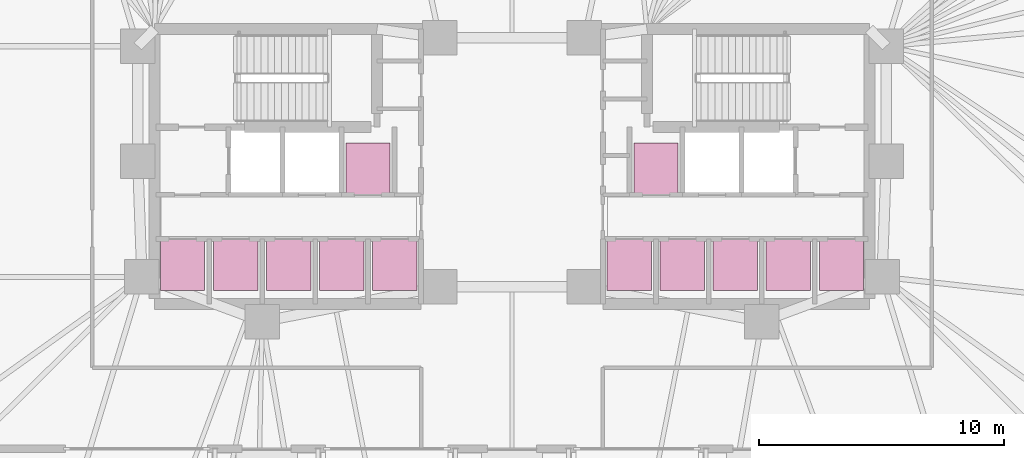
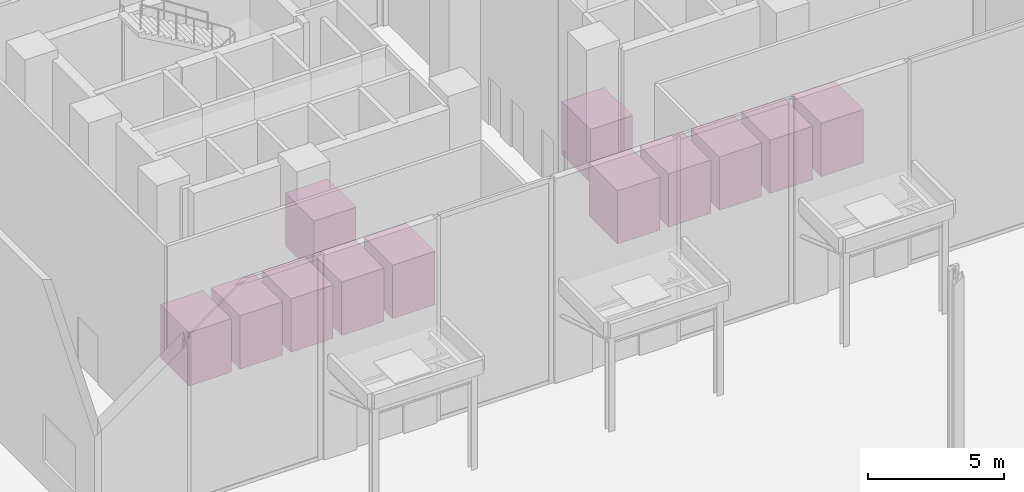
# One storey, part 24 of 24: 12 transport elements.
"""IFC4 building model written with IfcOpenShell, lengths in metres."""

from ifc_helpers import new_model, si_unit, direction, frame, origin, origin_2d, place, context, subcontext, project, spatial, rectangle, extrude, material, type_object, element, save


model = new_model("IFC4")

# Units and contexts
model_context = context("Model", 3, precision=1e-05, world=origin(), true_north=direction((0.0, 1.0)))
body_context = subcontext(model_context, "Body", "Model", "MODEL_VIEW")
ifc_project = project(units=[si_unit("LENGTHUNIT", "METRE"), si_unit("AREAUNIT", "SQUARE_METRE"), si_unit("VOLUMEUNIT", "CUBIC_METRE"), si_unit("PLANEANGLEUNIT", "RADIAN"), si_unit("MASSUNIT", "GRAM", prefix="KILO")], contexts=[model_context])

# Site, building, storey
site_placement = place(None, origin())
site = spatial("IfcSite", under=ifc_project, at=site_placement, CompositionType="ELEMENT")
building_placement = place(site_placement, origin())
building = spatial("IfcBuilding", under=site, at=building_placement, Name="Menara Jurai Vektor", CompositionType="ELEMENT")
storey_placement = place(building_placement, origin())
storey = spatial("IfcBuildingStorey", under=building, at=storey_placement, Name="L00", CompositionType="ELEMENT", Elevation=0.0)

# Transport elements
ifc_material = material(Name="Stainless Steel Lift Car", Category="steel")
transport_element_type = type_object("IfcTransportElementType", Name="LIFT-PASS-1800x2100", PredefinedType="ELEVATOR", material=ifc_material)
for number, where, z_axis, x_axis, name in (
    (1, (-13.419921875, -4.0, 0.0), (0.0, 0.0, 1.0), (1.0, 0.0, 0.0), "Elevator PL1"),
    (2, (-11.260009765625, -4.0, 0.0), (0.0, 0.0, 1.0), (1.0, 0.0, 0.0), "Elevator PL2"),
    (3, (11.260009765625, -4.0, 0.0), (0.0, 0.0, 1.0), (1.0, 0.0, 0.0), "Elevator PL3"),
    (4, (13.419921875, -4.0, 0.0), (0.0, 0.0, 1.0), (1.0, 0.0, 0.0), "Elevator PL4"),
    (5, (-9.10009765625, -4.0, 0.0), (0.0, 0.0, 1.0), (1.0, 0.0, 0.0), "Elevator PM1"),
    (6, (-6.93994140625, -4.0, 0.0), (0.0, 0.0, 1.0), (1.0, 0.0, 0.0), "Elevator PM2"),
    (7, (6.93994140625, -4.0, 0.0), (0.0, 0.0, 1.0), (1.0, 0.0, 0.0), "Elevator PM3"),
    (8, (9.10009765625, -4.0, 0.0), (0.0, 0.0, 1.0), (1.0, 0.0, 0.0), "Elevator PM4"),
    (9, (-4.780029296875, -4.0, 0.0), (0.0, 0.0, 1.0), (1.0, 0.0, 0.0), "Elevator PH1"),
    (10, (-5.8701171875, -0.10009765625, 0.0), (0.0, 0.0, 1.0), (1.0, 0.0, 0.0), "Elevator PH2"),
    (11, (4.780029296875, -4.0, 0.0), (0.0, 0.0, 1.0), (1.0, 0.0, 0.0), "Elevator PH3"),
    (12, (5.8701171875, -0.10009765625, 0.0), (0.0, 0.0, 1.0), (1.0, 0.0, 0.0), "Elevator PH4"),
):
    element("IfcTransportElement", number, at=place(storey_placement, frame(where, z_axis=z_axis, x_axis=x_axis)), inside=storey, type_object=transport_element_type, Name=name, PredefinedType="ELEVATOR", context=body_context, shape_type="SweptSolid", body=[
        extrude(rectangle(XDim=1.800048828125, YDim=2.10009765625, at=origin_2d()), origin(), (0.0, 0.0, 1.0), 2.39990234375),
    ])

save(model, "model.ifc")
